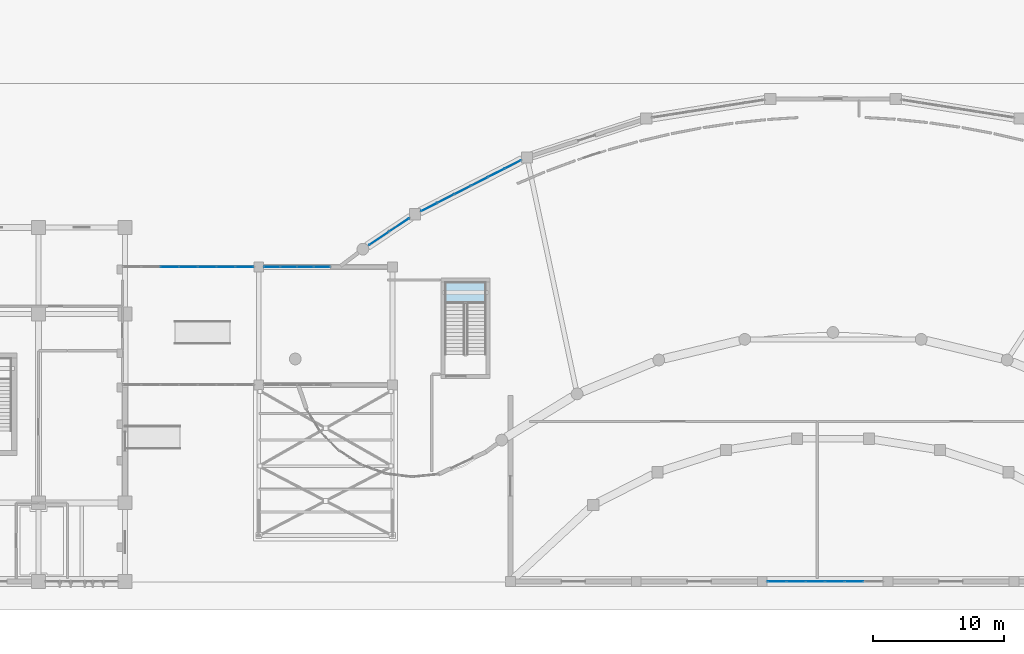
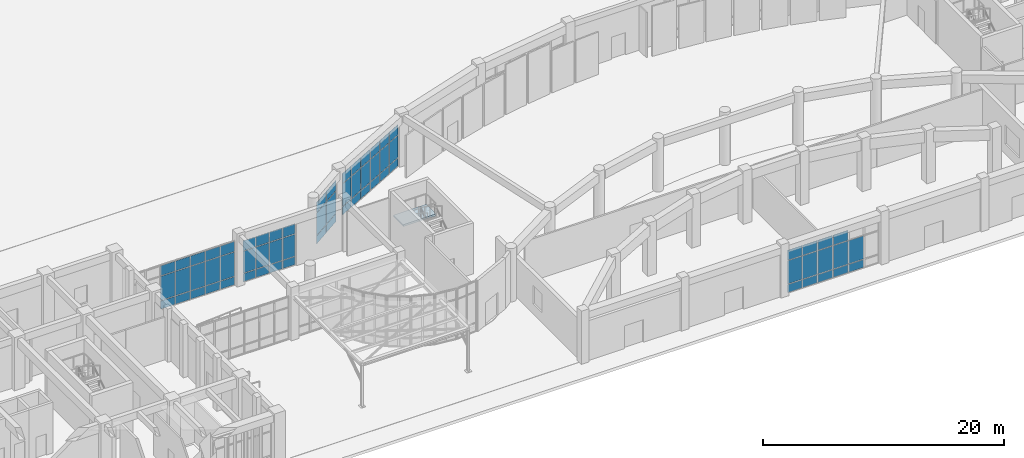
# One storey, part 38 of 70: 65 plates, 1 slab, 8 elements without a shape of their own.
"""IFC4 building model written with IfcOpenShell, lengths in metres."""

from ifc_helpers import new_model, si_unit, direction, frame, origin, origin_2d, place, context, subcontext, project, spatial, polyline, rectangle, outline, extrude, material, layer, layer_set, type_object, element, aggregate, save


model = new_model("IFC4")

# Units and contexts
model_context = context("Model", 3, precision=1e-05, world=origin(), true_north=direction((0.0, 1.0)))
body_context = subcontext(model_context, "Body", "Model", "MODEL_VIEW")
ifc_project = project(units=[si_unit("LENGTHUNIT", "METRE"), si_unit("AREAUNIT", "SQUARE_METRE"), si_unit("VOLUMEUNIT", "CUBIC_METRE"), si_unit("PLANEANGLEUNIT", "RADIAN"), si_unit("MASSUNIT", "GRAM", prefix="KILO")], contexts=[model_context])

# Site, building, storey
site_placement = place(None, origin())
site = spatial("IfcSite", under=ifc_project, at=site_placement, CompositionType="ELEMENT")
building_placement = place(site_placement, origin())
building = spatial("IfcBuilding", under=site, at=building_placement, Name="Miralva Faculty of Natural Sciences", CompositionType="ELEMENT")
storey_placement = place(building_placement, origin())
storey = spatial("IfcBuildingStorey", under=building, at=storey_placement, Name="L00", CompositionType="ELEMENT", Elevation=0.0)

# Curtain wall, plates
ifc_material_1 = material(Name="Laminated solar-control glass", Category="glass")
ifc_layer_1 = layer(ifc_material_1, 0.179931640625, Name="CW-ARC-L00")
ifc_layer_set_1 = layer_set([ifc_layer_1], Name="Laminated solar-control glass")
curtain_wall_type_1 = type_object("IfcCurtainWallType", Name="CW-ARC-L00", PredefinedType="USERDEFINED", material=ifc_layer_set_1)
curtain_wall_1_placement = place(storey_placement, origin())
curtain_wall_1 = element("IfcCurtainWall", 1, at=curtain_wall_1_placement, inside=storey, type_object=curtain_wall_type_1, Name="Curtain wall CW-01 L00-1", ObjectType="UNITISED CURTAIN WALL", PredefinedType="USERDEFINED")
ifc_layer_2 = layer(ifc_material_1, 0.028076171875, Name="PNL-P01")
ifc_layer_set_2 = layer_set([ifc_layer_2], Name="Laminated solar-control glass")
plate_type_1 = type_object("IfcPlateType", Name="PNL-P01", PredefinedType="CURTAIN_PANEL", material=ifc_layer_set_2)
plate_1_placement = place(storey_placement, frame((55.35888671875, 29.1611328125, 0.06005859375), z_axis=(0.0, 0.0, 1.0), x_axis=(0.831473893276, 0.555563826036, 0.0)))
plate_1 = element("IfcPlate", 2, at=plate_1_placement, type_object=plate_type_1, Name="CW-01 panel 1.1", PredefinedType="CURTAIN_PANEL", context=body_context, shape_type="SweptSolid", body=[
    extrude(rectangle(XDim=1.73974609375, YDim=0.028076171875, at=origin_2d()), origin(), (0.0, 0.0, 1.0), 0.81005859375),
])
plate_2_placement = place(storey_placement, frame((55.35888671875, 29.1611328125, 0.929931640625), z_axis=(0.0, 0.0, 1.0), x_axis=(0.831473893276, 0.555563826036, 0.0)))
plate_2 = element("IfcPlate", 3, at=plate_2_placement, type_object=plate_type_1, Name="CW-01 panel 1.2", PredefinedType="CURTAIN_PANEL", context=body_context, shape_type="SweptSolid", body=[
    extrude(rectangle(XDim=1.73974609375, YDim=0.028076171875, at=origin_2d()), origin(), (0.0, 0.0, 1.0), 2.2451171875),
])
plate_3_placement = place(storey_placement, frame((55.35888671875, 29.1611328125, 3.23486328125), z_axis=(0.0, 0.0, 1.0), x_axis=(0.831473893276, 0.555563826036, 0.0)))
plate_3 = element("IfcPlate", 4, at=plate_3_placement, type_object=plate_type_1, Name="CW-01 panel 1.3", PredefinedType="CURTAIN_PANEL", context=body_context, shape_type="SweptSolid", body=[
    extrude(rectangle(XDim=1.73974609375, YDim=0.028076171875, at=origin_2d()), origin(), (0.0, 0.0, 1.0), 1.010009765625),
])
aggregate(curtain_wall_1, [plate_1, plate_2, plate_3])

curtain_wall_2_placement = place(storey_placement, origin())
curtain_wall_2 = element("IfcCurtainWall", 5, at=curtain_wall_2_placement, inside=storey, type_object=curtain_wall_type_1, Name="Curtain wall CW-01 L00-2", ObjectType="UNITISED CURTAIN WALL", PredefinedType="USERDEFINED")
plate_4_placement = place(storey_placement, frame((56.924072265625, 30.206787109375, 0.06005859375), z_axis=(0.0, 0.0, 1.0), x_axis=(0.831476437239, 0.555560018644, 0.0)))
plate_4 = element("IfcPlate", 6, at=plate_4_placement, type_object=plate_type_1, Name="CW-01 panel 1.1", PredefinedType="CURTAIN_PANEL", context=body_context, shape_type="SweptSolid", body=[
    extrude(rectangle(XDim=1.77490234375, YDim=0.028076171875, at=origin_2d()), origin(), (0.0, 0.0, 1.0), 0.81005859375),
])
plate_5_placement = place(storey_placement, frame((56.924072265625, 30.206787109375, 0.929931640625), z_axis=(0.0, 0.0, 1.0), x_axis=(0.831476437239, 0.555560018644, 0.0)))
plate_5 = element("IfcPlate", 7, at=plate_5_placement, type_object=plate_type_1, Name="CW-01 panel 1.2", PredefinedType="CURTAIN_PANEL", context=body_context, shape_type="SweptSolid", body=[
    extrude(rectangle(XDim=1.77490234375, YDim=0.028076171875, at=origin_2d()), origin(), (0.0, 0.0, 1.0), 2.2451171875),
])
plate_6_placement = place(storey_placement, frame((56.924072265625, 30.206787109375, 3.23486328125), z_axis=(0.0, 0.0, 1.0), x_axis=(0.831476437239, 0.555560018644, 0.0)))
plate_6 = element("IfcPlate", 8, at=plate_6_placement, type_object=plate_type_1, Name="CW-01 panel 1.3", PredefinedType="CURTAIN_PANEL", context=body_context, shape_type="SweptSolid", body=[
    extrude(rectangle(XDim=1.77490234375, YDim=0.028076171875, at=origin_2d()), origin(), (0.0, 0.0, 1.0), 1.010009765625),
])
aggregate(curtain_wall_2, [plate_4, plate_5, plate_6])

curtain_wall_3_placement = place(storey_placement, origin())
curtain_wall_3 = element("IfcCurtainWall", 9, at=curtain_wall_3_placement, inside=storey, type_object=curtain_wall_type_1, Name="Curtain wall CW-01 L00-3", ObjectType="UNITISED CURTAIN WALL", PredefinedType="USERDEFINED")
plate_7_placement = place(storey_placement, frame((59.197998046875, 31.556640625, 0.06005859375), z_axis=(0.0, 0.0, 1.0), x_axis=(0.891003994746, 0.453995464015, 0.0)))
plate_7 = element("IfcPlate", 10, at=plate_7_placement, type_object=plate_type_1, Name="CW-01 panel 1.1", PredefinedType="CURTAIN_PANEL", context=body_context, shape_type="SweptSolid", body=[
    extrude(rectangle(XDim=1.3427734375, YDim=0.028076171875, at=origin_2d()), origin(), (0.0, 0.0, 1.0), 0.81005859375),
])
plate_8_placement = place(storey_placement, frame((59.197998046875, 31.556640625, 0.929931640625), z_axis=(0.0, 0.0, 1.0), x_axis=(0.891003994746, 0.453995464015, 0.0)))
plate_8 = element("IfcPlate", 11, at=plate_8_placement, type_object=plate_type_1, Name="CW-01 panel 1.2", PredefinedType="CURTAIN_PANEL", context=body_context, shape_type="SweptSolid", body=[
    extrude(rectangle(XDim=1.3427734375, YDim=0.028076171875, at=origin_2d()), origin(), (0.0, 0.0, 1.0), 2.2451171875),
])
plate_9_placement = place(storey_placement, frame((59.197998046875, 31.556640625, 3.23486328125), z_axis=(0.0, 0.0, 1.0), x_axis=(0.891003994746, 0.453995464015, 0.0)))
plate_9 = element("IfcPlate", 12, at=plate_9_placement, type_object=plate_type_1, Name="CW-01 panel 1.3", PredefinedType="CURTAIN_PANEL", context=body_context, shape_type="SweptSolid", body=[
    extrude(rectangle(XDim=1.3427734375, YDim=0.028076171875, at=origin_2d()), origin(), (0.0, 0.0, 1.0), 1.010009765625),
])
plate_10_placement = place(storey_placement, frame((60.466796875, 32.203125, 0.06005859375), z_axis=(0.0, 0.0, 1.0), x_axis=(0.891003994746, 0.453995464015, 0.0)))
plate_10 = element("IfcPlate", 13, at=plate_10_placement, type_object=plate_type_1, Name="CW-01 panel 2.1", PredefinedType="CURTAIN_PANEL", context=body_context, shape_type="SweptSolid", body=[
    extrude(rectangle(XDim=1.375244140625, YDim=0.028076171875, at=origin_2d()), origin(), (0.0, 0.0, 1.0), 0.81005859375),
])
plate_11_placement = place(storey_placement, frame((60.466796875, 32.203125, 0.929931640625), z_axis=(0.0, 0.0, 1.0), x_axis=(0.891003994746, 0.453995464015, 0.0)))
plate_11 = element("IfcPlate", 14, at=plate_11_placement, type_object=plate_type_1, Name="CW-01 panel 2.2", PredefinedType="CURTAIN_PANEL", context=body_context, shape_type="SweptSolid", body=[
    extrude(rectangle(XDim=1.375244140625, YDim=0.028076171875, at=origin_2d()), origin(), (0.0, 0.0, 1.0), 2.2451171875),
])
plate_12_placement = place(storey_placement, frame((60.466796875, 32.203125, 3.23486328125), z_axis=(0.0, 0.0, 1.0), x_axis=(0.891003994746, 0.453995464015, 0.0)))
plate_12 = element("IfcPlate", 15, at=plate_12_placement, type_object=plate_type_1, Name="CW-01 panel 2.3", PredefinedType="CURTAIN_PANEL", context=body_context, shape_type="SweptSolid", body=[
    extrude(rectangle(XDim=1.375244140625, YDim=0.028076171875, at=origin_2d()), origin(), (0.0, 0.0, 1.0), 1.010009765625),
])
plate_13_placement = place(storey_placement, frame((61.73583984375, 32.849609375, 0.06005859375), z_axis=(0.0, 0.0, 1.0), x_axis=(0.891003994746, 0.453995464015, 0.0)))
plate_13 = element("IfcPlate", 16, at=plate_13_placement, type_object=plate_type_1, Name="CW-01 panel 3.1", PredefinedType="CURTAIN_PANEL", context=body_context, shape_type="SweptSolid", body=[
    extrude(rectangle(XDim=1.3427734375, YDim=0.028076171875, at=origin_2d()), origin(), (0.0, 0.0, 1.0), 0.81005859375),
])
plate_14_placement = place(storey_placement, frame((61.73583984375, 32.849609375, 0.929931640625), z_axis=(0.0, 0.0, 1.0), x_axis=(0.891003994746, 0.453995464015, 0.0)))
plate_14 = element("IfcPlate", 17, at=plate_14_placement, type_object=plate_type_1, Name="CW-01 panel 3.2", PredefinedType="CURTAIN_PANEL", context=body_context, shape_type="SweptSolid", body=[
    extrude(rectangle(XDim=1.3427734375, YDim=0.028076171875, at=origin_2d()), origin(), (0.0, 0.0, 1.0), 2.2451171875),
])
plate_15_placement = place(storey_placement, frame((61.73583984375, 32.849609375, 3.23486328125), z_axis=(0.0, 0.0, 1.0), x_axis=(0.891003994746, 0.453995464015, 0.0)))
plate_15 = element("IfcPlate", 18, at=plate_15_placement, type_object=plate_type_1, Name="CW-01 panel 3.3", PredefinedType="CURTAIN_PANEL", context=body_context, shape_type="SweptSolid", body=[
    extrude(rectangle(XDim=1.3427734375, YDim=0.028076171875, at=origin_2d()), origin(), (0.0, 0.0, 1.0), 1.010009765625),
])
aggregate(curtain_wall_3, [plate_7, plate_8, plate_9, plate_10, plate_11, plate_12, plate_13, plate_14, plate_15])

curtain_wall_4_placement = place(storey_placement, origin())
curtain_wall_4 = element("IfcCurtainWall", 19, at=curtain_wall_4_placement, inside=storey, type_object=curtain_wall_type_1, Name="Curtain wall CW-01 L00-4", ObjectType="UNITISED CURTAIN WALL", PredefinedType="USERDEFINED")
plate_16_placement = place(storey_placement, frame((63.04443359375, 33.516357421875, 0.06005859375), z_axis=(0.0, 0.0, 1.0), x_axis=(0.891017445084, 0.453969065637, 0.0)))
plate_16 = element("IfcPlate", 20, at=plate_16_placement, type_object=plate_type_1, Name="CW-01 panel 1.1", PredefinedType="CURTAIN_PANEL", context=body_context, shape_type="SweptSolid", body=[
    extrude(rectangle(XDim=1.344482421875, YDim=0.028076171875, at=origin_2d()), origin(), (0.0, 0.0, 1.0), 0.81005859375),
])
plate_17_placement = place(storey_placement, frame((63.04443359375, 33.516357421875, 0.929931640625), z_axis=(0.0, 0.0, 1.0), x_axis=(0.891017445084, 0.453969065637, 0.0)))
plate_17 = element("IfcPlate", 21, at=plate_17_placement, type_object=plate_type_1, Name="CW-01 panel 1.2", PredefinedType="CURTAIN_PANEL", context=body_context, shape_type="SweptSolid", body=[
    extrude(rectangle(XDim=1.344482421875, YDim=0.028076171875, at=origin_2d()), origin(), (0.0, 0.0, 1.0), 2.2451171875),
])
plate_18_placement = place(storey_placement, frame((63.04443359375, 33.516357421875, 3.23486328125), z_axis=(0.0, 0.0, 1.0), x_axis=(0.891017445084, 0.453969065637, 0.0)))
plate_18 = element("IfcPlate", 22, at=plate_18_placement, type_object=plate_type_1, Name="CW-01 panel 1.3", PredefinedType="CURTAIN_PANEL", context=body_context, shape_type="SweptSolid", body=[
    extrude(rectangle(XDim=1.344482421875, YDim=0.028076171875, at=origin_2d()), origin(), (0.0, 0.0, 1.0), 1.010009765625),
])
plate_19_placement = place(storey_placement, frame((64.314697265625, 34.16357421875, 0.06005859375), z_axis=(0.0, 0.0, 1.0), x_axis=(0.891017445084, 0.453969065637, 0.0)))
plate_19 = element("IfcPlate", 23, at=plate_19_placement, type_object=plate_type_1, Name="CW-01 panel 2.1", PredefinedType="CURTAIN_PANEL", context=body_context, shape_type="SweptSolid", body=[
    extrude(rectangle(XDim=1.376953125, YDim=0.028076171875, at=origin_2d()), origin(), (0.0, 0.0, 1.0), 0.81005859375),
])
plate_20_placement = place(storey_placement, frame((64.314697265625, 34.16357421875, 0.929931640625), z_axis=(0.0, 0.0, 1.0), x_axis=(0.891017445084, 0.453969065637, 0.0)))
plate_20 = element("IfcPlate", 24, at=plate_20_placement, type_object=plate_type_1, Name="CW-01 panel 2.2", PredefinedType="CURTAIN_PANEL", context=body_context, shape_type="SweptSolid", body=[
    extrude(rectangle(XDim=1.376953125, YDim=0.028076171875, at=origin_2d()), origin(), (0.0, 0.0, 1.0), 2.2451171875),
])
plate_21_placement = place(storey_placement, frame((64.314697265625, 34.16357421875, 3.23486328125), z_axis=(0.0, 0.0, 1.0), x_axis=(0.891017445084, 0.453969065637, 0.0)))
plate_21 = element("IfcPlate", 25, at=plate_21_placement, type_object=plate_type_1, Name="CW-01 panel 2.3", PredefinedType="CURTAIN_PANEL", context=body_context, shape_type="SweptSolid", body=[
    extrude(rectangle(XDim=1.376953125, YDim=0.028076171875, at=origin_2d()), origin(), (0.0, 0.0, 1.0), 1.010009765625),
])
plate_22_placement = place(storey_placement, frame((65.585205078125, 34.810791015625, 0.06005859375), z_axis=(0.0, 0.0, 1.0), x_axis=(0.891017445084, 0.453969065637, 0.0)))
plate_22 = element("IfcPlate", 26, at=plate_22_placement, type_object=plate_type_1, Name="CW-01 panel 3.1", PredefinedType="CURTAIN_PANEL", context=body_context, shape_type="SweptSolid", body=[
    extrude(rectangle(XDim=1.344482421875, YDim=0.028076171875, at=origin_2d()), origin(), (0.0, 0.0, 1.0), 0.81005859375),
])
plate_23_placement = place(storey_placement, frame((65.585205078125, 34.810791015625, 0.929931640625), z_axis=(0.0, 0.0, 1.0), x_axis=(0.891017445084, 0.453969065637, 0.0)))
plate_23 = element("IfcPlate", 27, at=plate_23_placement, type_object=plate_type_1, Name="CW-01 panel 3.2", PredefinedType="CURTAIN_PANEL", context=body_context, shape_type="SweptSolid", body=[
    extrude(rectangle(XDim=1.344482421875, YDim=0.028076171875, at=origin_2d()), origin(), (0.0, 0.0, 1.0), 2.2451171875),
])
plate_24_placement = place(storey_placement, frame((65.585205078125, 34.810791015625, 3.23486328125), z_axis=(0.0, 0.0, 1.0), x_axis=(0.891017445084, 0.453969065637, 0.0)))
plate_24 = element("IfcPlate", 28, at=plate_24_placement, type_object=plate_type_1, Name="CW-01 panel 3.3", PredefinedType="CURTAIN_PANEL", context=body_context, shape_type="SweptSolid", body=[
    extrude(rectangle(XDim=1.344482421875, YDim=0.028076171875, at=origin_2d()), origin(), (0.0, 0.0, 1.0), 1.010009765625),
])
aggregate(curtain_wall_4, [plate_16, plate_17, plate_18, plate_19, plate_20, plate_21, plate_22, plate_23, plate_24])

ifc_layer_3 = layer(ifc_material_1, 0.179931640625, Name="CW-COM-L01")
ifc_layer_set_3 = layer_set([ifc_layer_3], Name="Laminated solar-control glass")
curtain_wall_type_2 = type_object("IfcCurtainWallType", Name="CW-COM-L01", PredefinedType="USERDEFINED", material=ifc_layer_set_3)
curtain_wall_5_placement = place(storey_placement, origin())
curtain_wall_5 = element("IfcCurtainWall", 29, at=curtain_wall_5_placement, inside=storey, type_object=curtain_wall_type_2, Name="Curtain wall CW-10 L00-285", ObjectType="UNITISED CURTAIN WALL", PredefinedType="USERDEFINED")
plate_25_placement = place(storey_placement, frame((39.397216796875, 27.0, 0.06005859375), z_axis=(0.0, 0.0, 1.0), x_axis=(1.0, 0.0, 0.0)))
plate_25 = element("IfcPlate", 30, at=plate_25_placement, type_object=plate_type_1, Name="CW-10 panel 3.1", PredefinedType="CURTAIN_PANEL", context=body_context, shape_type="SweptSolid", body=[
    extrude(rectangle(XDim=1.372802734375, YDim=0.028076171875, at=origin_2d()), origin(), (0.0, 0.0, 1.0), 0.81005859375),
])
plate_26_placement = place(storey_placement, frame((39.397216796875, 27.0, 0.93017578125), z_axis=(0.0, 0.0, 1.0), x_axis=(1.0, 0.0, 0.0)))
plate_26 = element("IfcPlate", 31, at=plate_26_placement, type_object=plate_type_1, Name="CW-10 panel 3.2", PredefinedType="CURTAIN_PANEL", context=body_context, shape_type="SweptSolid", body=[
    extrude(rectangle(XDim=1.372802734375, YDim=0.028076171875, at=origin_2d()), origin(), (0.0, 0.0, 1.0), 2.445068359375),
])
plate_27_placement = place(storey_placement, frame((39.397216796875, 27.0, 3.43505859375), z_axis=(0.0, 0.0, 1.0), x_axis=(1.0, 0.0, 0.0)))
plate_27 = element("IfcPlate", 32, at=plate_27_placement, type_object=plate_type_1, Name="CW-10 panel 3.3", PredefinedType="CURTAIN_PANEL", context=body_context, shape_type="SweptSolid", body=[
    extrude(rectangle(XDim=1.372802734375, YDim=0.028076171875, at=origin_2d()), origin(), (0.0, 0.0, 1.0), 1.010009765625),
])
plate_28_placement = place(storey_placement, frame((40.830078125, 27.0, 0.06005859375), z_axis=(0.0, 0.0, 1.0), x_axis=(1.0, 0.0, 0.0)))
plate_28 = element("IfcPlate", 33, at=plate_28_placement, type_object=plate_type_1, Name="CW-10 panel 4.1", PredefinedType="CURTAIN_PANEL", context=body_context, shape_type="SweptSolid", body=[
    extrude(rectangle(XDim=1.372802734375, YDim=0.028076171875, at=origin_2d()), origin(), (0.0, 0.0, 1.0), 0.81005859375),
])
plate_29_placement = place(storey_placement, frame((40.830078125, 27.0, 0.93017578125), z_axis=(0.0, 0.0, 1.0), x_axis=(1.0, 0.0, 0.0)))
plate_29 = element("IfcPlate", 34, at=plate_29_placement, type_object=plate_type_1, Name="CW-10 panel 4.2", PredefinedType="CURTAIN_PANEL", context=body_context, shape_type="SweptSolid", body=[
    extrude(rectangle(XDim=1.372802734375, YDim=0.028076171875, at=origin_2d()), origin(), (0.0, 0.0, 1.0), 2.445068359375),
])
plate_30_placement = place(storey_placement, frame((40.830078125, 27.0, 3.43505859375), z_axis=(0.0, 0.0, 1.0), x_axis=(1.0, 0.0, 0.0)))
plate_30 = element("IfcPlate", 35, at=plate_30_placement, type_object=plate_type_1, Name="CW-10 panel 4.3", PredefinedType="CURTAIN_PANEL", context=body_context, shape_type="SweptSolid", body=[
    extrude(rectangle(XDim=1.372802734375, YDim=0.028076171875, at=origin_2d()), origin(), (0.0, 0.0, 1.0), 1.010009765625),
])
plate_31_placement = place(storey_placement, frame((42.262939453125, 27.0, 0.06005859375), z_axis=(0.0, 0.0, 1.0), x_axis=(1.0, 0.0, 0.0)))
plate_31 = element("IfcPlate", 36, at=plate_31_placement, type_object=plate_type_1, Name="CW-10 panel 5.1", PredefinedType="CURTAIN_PANEL", context=body_context, shape_type="SweptSolid", body=[
    extrude(rectangle(XDim=1.372802734375, YDim=0.028076171875, at=origin_2d()), origin(), (0.0, 0.0, 1.0), 0.81005859375),
])
plate_32_placement = place(storey_placement, frame((42.262939453125, 27.0, 0.93017578125), z_axis=(0.0, 0.0, 1.0), x_axis=(1.0, 0.0, 0.0)))
plate_32 = element("IfcPlate", 37, at=plate_32_placement, type_object=plate_type_1, Name="CW-10 panel 5.2", PredefinedType="CURTAIN_PANEL", context=body_context, shape_type="SweptSolid", body=[
    extrude(rectangle(XDim=1.372802734375, YDim=0.028076171875, at=origin_2d()), origin(), (0.0, 0.0, 1.0), 2.445068359375),
])
plate_33_placement = place(storey_placement, frame((42.262939453125, 27.0, 3.43505859375), z_axis=(0.0, 0.0, 1.0), x_axis=(1.0, 0.0, 0.0)))
plate_33 = element("IfcPlate", 38, at=plate_33_placement, type_object=plate_type_1, Name="CW-10 panel 5.3", PredefinedType="CURTAIN_PANEL", context=body_context, shape_type="SweptSolid", body=[
    extrude(rectangle(XDim=1.372802734375, YDim=0.028076171875, at=origin_2d()), origin(), (0.0, 0.0, 1.0), 1.010009765625),
])
plate_34_placement = place(storey_placement, frame((43.69580078125, 27.0, 0.06005859375), z_axis=(0.0, 0.0, 1.0), x_axis=(1.0, 0.0, 0.0)))
plate_34 = element("IfcPlate", 39, at=plate_34_placement, type_object=plate_type_1, Name="CW-10 panel 6.1", PredefinedType="CURTAIN_PANEL", context=body_context, shape_type="SweptSolid", body=[
    extrude(rectangle(XDim=1.372802734375, YDim=0.028076171875, at=origin_2d()), origin(), (0.0, 0.0, 1.0), 0.81005859375),
])
plate_35_placement = place(storey_placement, frame((43.69580078125, 27.0, 0.93017578125), z_axis=(0.0, 0.0, 1.0), x_axis=(1.0, 0.0, 0.0)))
plate_35 = element("IfcPlate", 40, at=plate_35_placement, type_object=plate_type_1, Name="CW-10 panel 6.2", PredefinedType="CURTAIN_PANEL", context=body_context, shape_type="SweptSolid", body=[
    extrude(rectangle(XDim=1.372802734375, YDim=0.028076171875, at=origin_2d()), origin(), (0.0, 0.0, 1.0), 2.445068359375),
])
plate_36_placement = place(storey_placement, frame((43.69580078125, 27.0, 3.43505859375), z_axis=(0.0, 0.0, 1.0), x_axis=(1.0, 0.0, 0.0)))
plate_36 = element("IfcPlate", 41, at=plate_36_placement, type_object=plate_type_1, Name="CW-10 panel 6.3", PredefinedType="CURTAIN_PANEL", context=body_context, shape_type="SweptSolid", body=[
    extrude(rectangle(XDim=1.372802734375, YDim=0.028076171875, at=origin_2d()), origin(), (0.0, 0.0, 1.0), 1.010009765625),
])
plate_37_placement = place(storey_placement, frame((45.113525390625, 27.0, 0.06005859375), z_axis=(0.0, 0.0, 1.0), x_axis=(1.0, 0.0, 0.0)))
plate_37 = element("IfcPlate", 42, at=plate_37_placement, type_object=plate_type_1, Name="CW-10 panel 7.1", PredefinedType="CURTAIN_PANEL", context=body_context, shape_type="SweptSolid", body=[
    extrude(rectangle(XDim=1.3427734375, YDim=0.028076171875, at=origin_2d()), origin(), (0.0, 0.0, 1.0), 0.81005859375),
])
plate_38_placement = place(storey_placement, frame((45.113525390625, 27.0, 0.93017578125), z_axis=(0.0, 0.0, 1.0), x_axis=(1.0, 0.0, 0.0)))
plate_38 = element("IfcPlate", 43, at=plate_38_placement, type_object=plate_type_1, Name="CW-10 panel 7.2", PredefinedType="CURTAIN_PANEL", context=body_context, shape_type="SweptSolid", body=[
    extrude(rectangle(XDim=1.3427734375, YDim=0.028076171875, at=origin_2d()), origin(), (0.0, 0.0, 1.0), 2.445068359375),
])
plate_39_placement = place(storey_placement, frame((45.113525390625, 27.0, 3.43505859375), z_axis=(0.0, 0.0, 1.0), x_axis=(1.0, 0.0, 0.0)))
plate_39 = element("IfcPlate", 44, at=plate_39_placement, type_object=plate_type_1, Name="CW-10 panel 7.3", PredefinedType="CURTAIN_PANEL", context=body_context, shape_type="SweptSolid", body=[
    extrude(rectangle(XDim=1.3427734375, YDim=0.028076171875, at=origin_2d()), origin(), (0.0, 0.0, 1.0), 1.010009765625),
])
aggregate(curtain_wall_5, [plate_25, plate_26, plate_27, plate_28, plate_29, plate_30, plate_31, plate_32, plate_33, plate_34, plate_35, plate_36, plate_37, plate_38, plate_39])

curtain_wall_6_placement = place(storey_placement, origin())
curtain_wall_6 = element("IfcCurtainWall", 45, at=curtain_wall_6_placement, inside=storey, type_object=curtain_wall_type_2, Name="Curtain wall CW-10 L00-286", ObjectType="UNITISED CURTAIN WALL", PredefinedType="USERDEFINED")
plate_40_placement = place(storey_placement, frame((47.219482421875, 27.0, 0.06005859375), z_axis=(0.0, 0.0, 1.0), x_axis=(1.0, 0.0, 0.0)))
plate_40 = element("IfcPlate", 46, at=plate_40_placement, type_object=plate_type_1, Name="CW-10 panel 1.1", PredefinedType="CURTAIN_PANEL", context=body_context, shape_type="SweptSolid", body=[
    extrude(rectangle(XDim=1.188720703125, YDim=0.028076171875, at=origin_2d()), origin(), (0.0, 0.0, 1.0), 0.81005859375),
])
plate_41_placement = place(storey_placement, frame((47.219482421875, 27.0, 0.93017578125), z_axis=(0.0, 0.0, 1.0), x_axis=(1.0, 0.0, 0.0)))
plate_41 = element("IfcPlate", 47, at=plate_41_placement, type_object=plate_type_1, Name="CW-10 panel 1.2", PredefinedType="CURTAIN_PANEL", context=body_context, shape_type="SweptSolid", body=[
    extrude(rectangle(XDim=1.188720703125, YDim=0.028076171875, at=origin_2d()), origin(), (0.0, 0.0, 1.0), 2.215087890625),
])
plate_42_placement = place(storey_placement, frame((47.219482421875, 27.0, 3.205078125), z_axis=(0.0, 0.0, 1.0), x_axis=(1.0, 0.0, 0.0)))
plate_42 = element("IfcPlate", 48, at=plate_42_placement, type_object=plate_type_1, Name="CW-10 panel 1.3", PredefinedType="CURTAIN_PANEL", context=body_context, shape_type="SweptSolid", body=[
    extrude(rectangle(XDim=1.188720703125, YDim=0.028076171875, at=origin_2d()), origin(), (0.0, 0.0, 1.0), 1.010009765625),
])
plate_43_placement = place(storey_placement, frame((48.483154296875, 27.0, 0.06005859375), z_axis=(0.0, 0.0, 1.0), x_axis=(1.0, 0.0, 0.0)))
plate_43 = element("IfcPlate", 49, at=plate_43_placement, type_object=plate_type_1, Name="CW-10 panel 2.1", PredefinedType="CURTAIN_PANEL", context=body_context, shape_type="SweptSolid", body=[
    extrude(rectangle(XDim=1.21875, YDim=0.028076171875, at=origin_2d()), origin(), (0.0, 0.0, 1.0), 0.81005859375),
])
plate_44_placement = place(storey_placement, frame((48.483154296875, 27.0, 0.93017578125), z_axis=(0.0, 0.0, 1.0), x_axis=(1.0, 0.0, 0.0)))
plate_44 = element("IfcPlate", 50, at=plate_44_placement, type_object=plate_type_1, Name="CW-10 panel 2.2", PredefinedType="CURTAIN_PANEL", context=body_context, shape_type="SweptSolid", body=[
    extrude(rectangle(XDim=1.21875, YDim=0.028076171875, at=origin_2d()), origin(), (0.0, 0.0, 1.0), 2.215087890625),
])
plate_45_placement = place(storey_placement, frame((48.483154296875, 27.0, 3.205078125), z_axis=(0.0, 0.0, 1.0), x_axis=(1.0, 0.0, 0.0)))
plate_45 = element("IfcPlate", 51, at=plate_45_placement, type_object=plate_type_1, Name="CW-10 panel 2.3", PredefinedType="CURTAIN_PANEL", context=body_context, shape_type="SweptSolid", body=[
    extrude(rectangle(XDim=1.21875, YDim=0.028076171875, at=origin_2d()), origin(), (0.0, 0.0, 1.0), 1.010009765625),
])
plate_46_placement = place(storey_placement, frame((49.761962890625, 27.0, 0.06005859375), z_axis=(0.0, 0.0, 1.0), x_axis=(1.0, 0.0, 0.0)))
plate_46 = element("IfcPlate", 52, at=plate_46_placement, type_object=plate_type_1, Name="CW-10 panel 3.1", PredefinedType="CURTAIN_PANEL", context=body_context, shape_type="SweptSolid", body=[
    extrude(rectangle(XDim=1.21875, YDim=0.028076171875, at=origin_2d()), origin(), (0.0, 0.0, 1.0), 0.81005859375),
])
plate_47_placement = place(storey_placement, frame((49.761962890625, 27.0, 0.93017578125), z_axis=(0.0, 0.0, 1.0), x_axis=(1.0, 0.0, 0.0)))
plate_47 = element("IfcPlate", 53, at=plate_47_placement, type_object=plate_type_1, Name="CW-10 panel 3.2", PredefinedType="CURTAIN_PANEL", context=body_context, shape_type="SweptSolid", body=[
    extrude(rectangle(XDim=1.21875, YDim=0.028076171875, at=origin_2d()), origin(), (0.0, 0.0, 1.0), 2.215087890625),
])
plate_48_placement = place(storey_placement, frame((49.761962890625, 27.0, 3.205078125), z_axis=(0.0, 0.0, 1.0), x_axis=(1.0, 0.0, 0.0)))
plate_48 = element("IfcPlate", 54, at=plate_48_placement, type_object=plate_type_1, Name="CW-10 panel 3.3", PredefinedType="CURTAIN_PANEL", context=body_context, shape_type="SweptSolid", body=[
    extrude(rectangle(XDim=1.21875, YDim=0.028076171875, at=origin_2d()), origin(), (0.0, 0.0, 1.0), 1.010009765625),
])
plate_49_placement = place(storey_placement, frame((51.025634765625, 27.0, 0.06005859375), z_axis=(0.0, 0.0, 1.0), x_axis=(1.0, 0.0, 0.0)))
plate_49 = element("IfcPlate", 55, at=plate_49_placement, type_object=plate_type_1, Name="CW-10 panel 4.1", PredefinedType="CURTAIN_PANEL", context=body_context, shape_type="SweptSolid", body=[
    extrude(rectangle(XDim=1.188720703125, YDim=0.028076171875, at=origin_2d()), origin(), (0.0, 0.0, 1.0), 0.81005859375),
])
plate_50_placement = place(storey_placement, frame((51.025634765625, 27.0, 0.93017578125), z_axis=(0.0, 0.0, 1.0), x_axis=(1.0, 0.0, 0.0)))
plate_50 = element("IfcPlate", 56, at=plate_50_placement, type_object=plate_type_1, Name="CW-10 panel 4.2", PredefinedType="CURTAIN_PANEL", context=body_context, shape_type="SweptSolid", body=[
    extrude(rectangle(XDim=1.188720703125, YDim=0.028076171875, at=origin_2d()), origin(), (0.0, 0.0, 1.0), 2.215087890625),
])
plate_51_placement = place(storey_placement, frame((51.025634765625, 27.0, 3.205078125), z_axis=(0.0, 0.0, 1.0), x_axis=(1.0, 0.0, 0.0)))
plate_51 = element("IfcPlate", 57, at=plate_51_placement, type_object=plate_type_1, Name="CW-10 panel 4.3", PredefinedType="CURTAIN_PANEL", context=body_context, shape_type="SweptSolid", body=[
    extrude(rectangle(XDim=1.188720703125, YDim=0.028076171875, at=origin_2d()), origin(), (0.0, 0.0, 1.0), 1.010009765625),
])
aggregate(curtain_wall_6, [plate_40, plate_41, plate_42, plate_43, plate_44, plate_45, plate_46, plate_47, plate_48, plate_49, plate_50, plate_51])

ifc_layer_4 = layer(ifc_material_1, 0.179931640625, Name="CW-LEC-L00")
ifc_layer_set_4 = layer_set([ifc_layer_4], Name="Laminated solar-control glass")
curtain_wall_type_3 = type_object("IfcCurtainWallType", Name="CW-LEC-L00", PredefinedType="USERDEFINED", material=ifc_layer_set_4)
curtain_wall_7_placement = place(storey_placement, origin())
curtain_wall_7 = element("IfcCurtainWall", 58, at=curtain_wall_7_placement, inside=storey, type_object=curtain_wall_type_3, Name="Curtain wall CW-07 L00-205", ObjectType="UNITISED CURTAIN WALL", PredefinedType="USERDEFINED")
ifc_layer_5 = layer(ifc_material_1, 0.031982421875, Name="PNL-P02")
ifc_layer_set_5 = layer_set([ifc_layer_5], Name="Laminated solar-control glass")
plate_type_2 = type_object("IfcPlateType", Name="PNL-P02", PredefinedType="CURTAIN_PANEL", material=ifc_layer_set_5)
plate_52_placement = place(storey_placement, frame((85.720458984375, 3.0, 0.06494140625), z_axis=(0.0, 0.0, 1.0), x_axis=(1.0, 0.0, 0.0)))
plate_52 = element("IfcPlate", 59, at=plate_52_placement, type_object=plate_type_2, Name="CW-07 panel 1.1", PredefinedType="CURTAIN_PANEL", context=body_context, shape_type="SweptSolid", body=[
    extrude(rectangle(XDim=1.380859375, YDim=0.031982421875, at=origin_2d()), origin(), (0.0, 0.0, 1.0), 0.802490234375),
])
plate_53_placement = place(storey_placement, frame((85.720458984375, 3.0, 0.932373046875), z_axis=(0.0, 0.0, 1.0), x_axis=(1.0, 0.0, 0.0)))
plate_53 = element("IfcPlate", 60, at=plate_53_placement, type_object=plate_type_2, Name="CW-07 panel 1.2", PredefinedType="CURTAIN_PANEL", context=body_context, shape_type="SweptSolid", body=[
    extrude(rectangle(XDim=1.380859375, YDim=0.031982421875, at=origin_2d()), origin(), (0.0, 0.0, 1.0), 2.35009765625),
])
plate_54_placement = place(storey_placement, frame((85.720458984375, 3.0, 3.347412109375), z_axis=(0.0, 0.0, 1.0), x_axis=(1.0, 0.0, 0.0)))
plate_54 = element("IfcPlate", 61, at=plate_54_placement, type_object=plate_type_2, Name="CW-07 panel 1.3", PredefinedType="CURTAIN_PANEL", context=body_context, shape_type="SweptSolid", body=[
    extrude(rectangle(XDim=1.380859375, YDim=0.031982421875, at=origin_2d()), origin(), (0.0, 0.0, 1.0), 1.00244140625),
])
plate_55_placement = place(storey_placement, frame((87.1826171875, 3.0, 0.06494140625), z_axis=(0.0, 0.0, 1.0), x_axis=(1.0, 0.0, 0.0)))
plate_55 = element("IfcPlate", 62, at=plate_55_placement, type_object=plate_type_2, Name="CW-07 panel 2.1", PredefinedType="CURTAIN_PANEL", context=body_context, shape_type="SweptSolid", body=[
    extrude(rectangle(XDim=1.413330078125, YDim=0.031982421875, at=origin_2d()), origin(), (0.0, 0.0, 1.0), 0.802490234375),
])
plate_56_placement = place(storey_placement, frame((87.1826171875, 3.0, 0.932373046875), z_axis=(0.0, 0.0, 1.0), x_axis=(1.0, 0.0, 0.0)))
plate_56 = element("IfcPlate", 63, at=plate_56_placement, type_object=plate_type_2, Name="CW-07 panel 2.2", PredefinedType="CURTAIN_PANEL", context=body_context, shape_type="SweptSolid", body=[
    extrude(rectangle(XDim=1.413330078125, YDim=0.031982421875, at=origin_2d()), origin(), (0.0, 0.0, 1.0), 2.35009765625),
])
plate_57_placement = place(storey_placement, frame((87.1826171875, 3.0, 3.347412109375), z_axis=(0.0, 0.0, 1.0), x_axis=(1.0, 0.0, 0.0)))
plate_57 = element("IfcPlate", 64, at=plate_57_placement, type_object=plate_type_2, Name="CW-07 panel 2.3", PredefinedType="CURTAIN_PANEL", context=body_context, shape_type="SweptSolid", body=[
    extrude(rectangle(XDim=1.413330078125, YDim=0.031982421875, at=origin_2d()), origin(), (0.0, 0.0, 1.0), 1.00244140625),
])
plate_58_placement = place(storey_placement, frame((88.660888671875, 3.0, 0.06494140625), z_axis=(0.0, 0.0, 1.0), x_axis=(1.0, 0.0, 0.0)))
plate_58 = element("IfcPlate", 65, at=plate_58_placement, type_object=plate_type_2, Name="CW-07 panel 3.1", PredefinedType="CURTAIN_PANEL", context=body_context, shape_type="SweptSolid", body=[
    extrude(rectangle(XDim=1.413330078125, YDim=0.031982421875, at=origin_2d()), origin(), (0.0, 0.0, 1.0), 0.802490234375),
])
plate_59_placement = place(storey_placement, frame((88.660888671875, 3.0, 0.932373046875), z_axis=(0.0, 0.0, 1.0), x_axis=(1.0, 0.0, 0.0)))
plate_59 = element("IfcPlate", 66, at=plate_59_placement, type_object=plate_type_2, Name="CW-07 panel 3.2", PredefinedType="CURTAIN_PANEL", context=body_context, shape_type="SweptSolid", body=[
    extrude(rectangle(XDim=1.413330078125, YDim=0.031982421875, at=origin_2d()), origin(), (0.0, 0.0, 1.0), 2.35009765625),
])
plate_60_placement = place(storey_placement, frame((88.660888671875, 3.0, 3.347412109375), z_axis=(0.0, 0.0, 1.0), x_axis=(1.0, 0.0, 0.0)))
plate_60 = element("IfcPlate", 67, at=plate_60_placement, type_object=plate_type_2, Name="CW-07 panel 3.3", PredefinedType="CURTAIN_PANEL", context=body_context, shape_type="SweptSolid", body=[
    extrude(rectangle(XDim=1.413330078125, YDim=0.031982421875, at=origin_2d()), origin(), (0.0, 0.0, 1.0), 1.00244140625),
])
plate_61_placement = place(storey_placement, frame((90.13916015625, 3.0, 0.06494140625), z_axis=(0.0, 0.0, 1.0), x_axis=(1.0, 0.0, 0.0)))
plate_61 = element("IfcPlate", 68, at=plate_61_placement, type_object=plate_type_2, Name="CW-07 panel 4.1", PredefinedType="CURTAIN_PANEL", context=body_context, shape_type="SweptSolid", body=[
    extrude(rectangle(XDim=1.413330078125, YDim=0.031982421875, at=origin_2d()), origin(), (0.0, 0.0, 1.0), 0.802490234375),
])
plate_62_placement = place(storey_placement, frame((90.13916015625, 3.0, 0.932373046875), z_axis=(0.0, 0.0, 1.0), x_axis=(1.0, 0.0, 0.0)))
plate_62 = element("IfcPlate", 69, at=plate_62_placement, type_object=plate_type_2, Name="CW-07 panel 4.2", PredefinedType="CURTAIN_PANEL", context=body_context, shape_type="SweptSolid", body=[
    extrude(rectangle(XDim=1.413330078125, YDim=0.031982421875, at=origin_2d()), origin(), (0.0, 0.0, 1.0), 2.35009765625),
])
plate_63_placement = place(storey_placement, frame((90.13916015625, 3.0, 3.347412109375), z_axis=(0.0, 0.0, 1.0), x_axis=(1.0, 0.0, 0.0)))
plate_63 = element("IfcPlate", 70, at=plate_63_placement, type_object=plate_type_2, Name="CW-07 panel 4.3", PredefinedType="CURTAIN_PANEL", context=body_context, shape_type="SweptSolid", body=[
    extrude(rectangle(XDim=1.413330078125, YDim=0.031982421875, at=origin_2d()), origin(), (0.0, 0.0, 1.0), 1.00244140625),
])
plate_64_placement = place(storey_placement, frame((91.617431640625, 3.0, 0.06494140625), z_axis=(0.0, 0.0, 1.0), x_axis=(1.0, 0.0, 0.0)))
plate_64 = element("IfcPlate", 71, at=plate_64_placement, type_object=plate_type_2, Name="CW-07 panel 5.1", PredefinedType="CURTAIN_PANEL", context=body_context, shape_type="SweptSolid", body=[
    extrude(rectangle(XDim=1.413330078125, YDim=0.031982421875, at=origin_2d()), origin(), (0.0, 0.0, 1.0), 0.802490234375),
])
plate_65_placement = place(storey_placement, frame((91.617431640625, 3.0, 0.932373046875), z_axis=(0.0, 0.0, 1.0), x_axis=(1.0, 0.0, 0.0)))
plate_65 = element("IfcPlate", 72, at=plate_65_placement, type_object=plate_type_2, Name="CW-07 panel 5.2", PredefinedType="CURTAIN_PANEL", context=body_context, shape_type="SweptSolid", body=[
    extrude(rectangle(XDim=1.413330078125, YDim=0.031982421875, at=origin_2d()), origin(), (0.0, 0.0, 1.0), 2.35009765625),
])
aggregate(curtain_wall_7, [plate_52, plate_53, plate_54, plate_55, plate_56, plate_57, plate_58, plate_59, plate_60, plate_61, plate_62, plate_63, plate_64, plate_65])

# Stair, slab
ifc_material_2 = material(Name="Concrete C40/50", Category="concrete")
stair_type = type_object("IfcStairType", Name="ST-CORE-540", PredefinedType="HALF_TURN_STAIR", material=ifc_material_2)
stair_placement = place(storey_placement, origin())
stair = element("IfcStair", 73, at=stair_placement, inside=storey, type_object=stair_type, Name="Exit Stair Core C6 (ST-01) L00", PredefinedType="HALF_TURN_STAIR")
ifc_layer_6 = layer(ifc_material_2, 0.18994140625, Name="SL-LD01")
ifc_layer_set_6 = layer_set([ifc_layer_6], Name="Concrete C40/50")
slab_type = type_object("IfcSlabType", Name="SL-LD01", PredefinedType="LANDING", material=ifc_layer_set_6)
slab_placement = place(storey_placement, frame((0.0, 0.0, 2.510009765625)))
slab = element("IfcSlab", 74, at=slab_placement, type_object=slab_type, Name="ST-01 landing 1", PredefinedType="LANDING", context=body_context, shape_type="SweptSolid", body=[
    extrude(outline(polyline([(63.550048828125, 24.219970703125), (63.550048828125, 25.85009765625), (60.39990234375, 25.85009765625), (60.39990234375, 24.219970703125), (63.550048828125, 24.219970703125)])), origin(), (0.0, 0.0, 1.0), 0.18994140625),
])
aggregate(stair, [slab])

save(model, "model.ifc")
